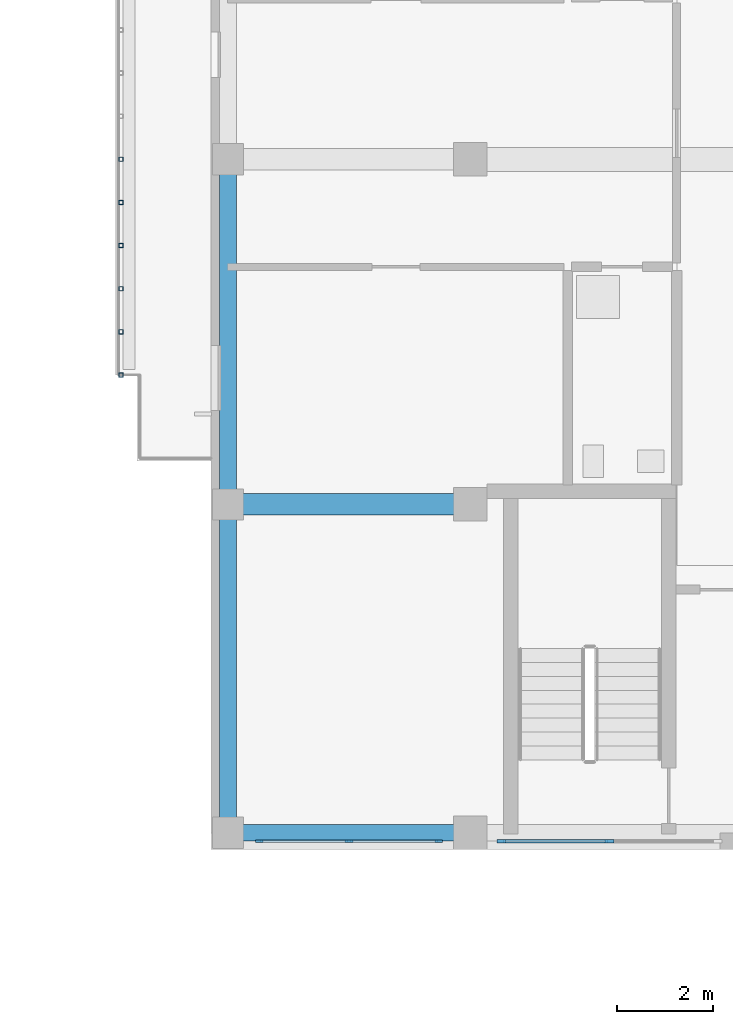
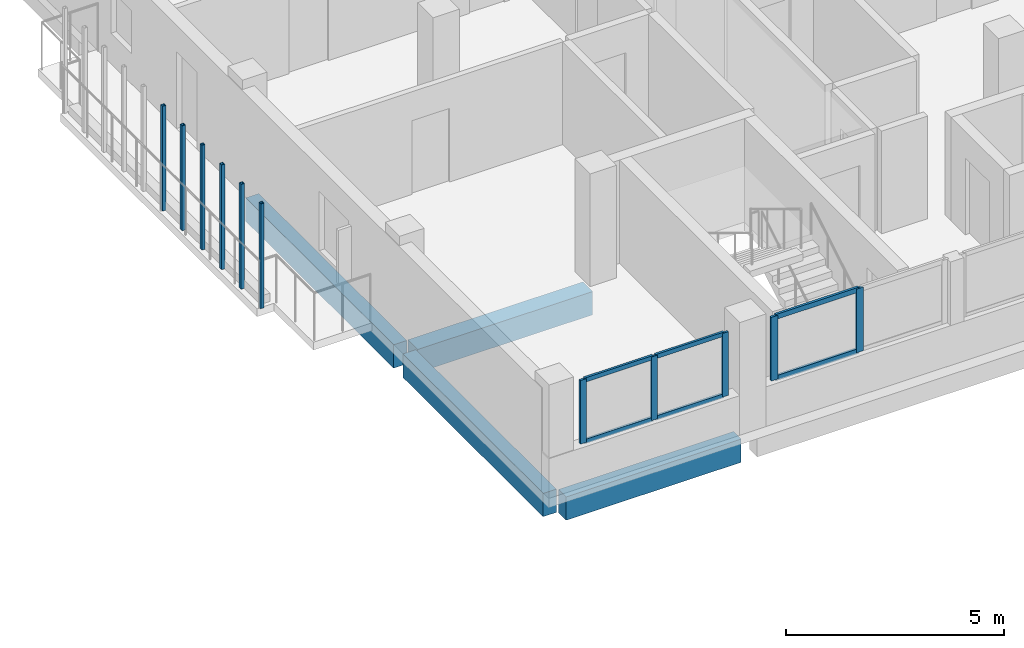
# One storey, part 16 of 51: 17 members, 4 beams, 2 elements without a shape of their own.
"""IFC4 building model written with IfcOpenShell, lengths in metres."""

from ifc_helpers import new_model, si_unit, derived_unit, direction, frame, origin, origin_2d, place, context, subcontext, project, spatial, rectangle, hollow_rectangle, extrude, material, layer, layer_set, material_profile, profile_set, type_object, element, aggregate, save


model = new_model("IFC4")

# Units and contexts
model_context = context("Model", 3, precision=1e-05, world=origin(), true_north=direction((0.0, 1.0)))
body_context = subcontext(model_context, "Body", "Model", "MODEL_VIEW")
ifc_project = project(units=[si_unit("LENGTHUNIT", "METRE"), si_unit("AREAUNIT", "SQUARE_METRE"), si_unit("VOLUMEUNIT", "CUBIC_METRE"), si_unit("PLANEANGLEUNIT", "RADIAN"), si_unit("MASSUNIT", "GRAM", prefix="KILO"), derived_unit("THERMALTRANSMITTANCEUNIT", [(si_unit("MASSUNIT", "GRAM", prefix="KILO"), 1), (si_unit("TIMEUNIT", "SECOND"), -3), (si_unit("THERMODYNAMICTEMPERATUREUNIT", "KELVIN"), -1)])], contexts=[model_context])

# Site, building, storey
site_placement = place(None, origin())
site = spatial("IfcSite", under=ifc_project, at=site_placement, CompositionType="ELEMENT")
building_placement = place(site_placement, origin())
building = spatial("IfcBuilding", under=site, at=building_placement, Name="Ochrekiln Boulevard Commons", CompositionType="ELEMENT")
storey_placement = place(building_placement, frame((0.0, 0.0, 15.22509765625)))
storey = spatial("IfcBuildingStorey", under=building, at=storey_placement, Name="L04", CompositionType="ELEMENT", Elevation=15.22509765625)

# Beam
ifc_material_1 = material(Name="Concrete C35/45", Category="concrete")
ifc_material_profile_1 = material_profile(ifc_material_1, rectangle(XDim=0.449951171875, YDim=0.64990234375, at=origin_2d()), Name="RC-BM-450x650")
ifc_profile_set_1 = profile_set([ifc_material_profile_1], Name="Concrete C35/45")
beam_type_1 = type_object("IfcBeamType", Name="BM-RC-450x650", PredefinedType="BEAM", material=ifc_profile_set_1)
beam_1_placement = place(storey_placement, frame((151.760009765625, 75.60009765625, -0.585205078125), z_axis=(1.0, 0.0, 0.0), x_axis=(0.0, 1.0, 0.0)))
element("IfcBeam", 1, at=beam_1_placement, inside=storey, type_object=beam_type_1, Name="Block B L04 Beam B-4565 X4", PredefinedType="BEAM", context=body_context, shape_type="SweptSolid", body=[
    extrude(rectangle(XDim=0.449951171875, YDim=0.64990234375, at=origin_2d()), origin(), (0.0, 0.0, 1.0), 4.6298828125),
])

# Curtain wall, members
ifc_material_2 = material(Name="Bronze-anodized extruded aluminium 6063-T6", Category="aluminium")
ifc_layer = layer(ifc_material_2, 0.18408203125)
ifc_layer_set = layer_set([ifc_layer], Name="Bronze-anodized extruded aluminium 6063-T6")
curtain_wall_type = type_object("IfcCurtainWallType", Name="CW-GABLE-B", PredefinedType="USERDEFINED", material=ifc_layer_set)
curtain_wall_1_placement = place(storey_placement, origin())
curtain_wall_1 = element("IfcCurtainWall", 2, at=curtain_wall_1_placement, inside=storey, type_object=curtain_wall_type, Name="Block B L04 Courtyard Glazed Gable Curtain Wall 1", ObjectType="GLAZED CURTAIN WALL", PredefinedType="USERDEFINED")
ifc_material_profile_2 = material_profile(ifc_material_2, rectangle(XDim=0.06005859375, YDim=0.159912109375, at=origin_2d()), Name="ALU-MUL-60x160")
ifc_profile_set_2 = profile_set([ifc_material_profile_2], Name="Bronze-anodized extruded aluminium 6063-T6")
member_type_1 = type_object("IfcMemberType", Name="CWM-60x160", PredefinedType="MULLION", material=ifc_profile_set_2)
member_1_placement = place(storey_placement, frame((152.199951171875, 68.570068359375, 1.10986328125), z_axis=(0.0, 0.0, 1.0), x_axis=(0.0, 1.0, 0.0)))
member_1 = element("IfcMember", 3, at=member_1_placement, type_object=member_type_1, Name="CW-02 mullion 1", PredefinedType="MULLION", context=body_context, shape_type="SweptSolid", body=[
    extrude(rectangle(XDim=0.06005859375, YDim=0.159912109375, at=origin_2d()), origin(), (0.0, 0.0, 1.0), 1.780029296875),
])
member_2_placement = place(storey_placement, frame((154.074951171875, 68.570068359375, 1.10986328125), z_axis=(0.0, 0.0, 1.0), x_axis=(0.0, 1.0, 0.0)))
member_2 = element("IfcMember", 4, at=member_2_placement, type_object=member_type_1, Name="CW-02 mullion 2", PredefinedType="MULLION", context=body_context, shape_type="SweptSolid", body=[
    extrude(rectangle(XDim=0.06005859375, YDim=0.159912109375, at=origin_2d()), origin(), (0.0, 0.0, 1.0), 1.780029296875),
])
member_3_placement = place(storey_placement, frame((155.949951171875, 68.570068359375, 1.10986328125), z_axis=(0.0, 0.0, 1.0), x_axis=(0.0, 1.0, 0.0)))
member_3 = element("IfcMember", 5, at=member_3_placement, type_object=member_type_1, Name="CW-02 mullion 3", PredefinedType="MULLION", context=body_context, shape_type="SweptSolid", body=[
    extrude(rectangle(XDim=0.06005859375, YDim=0.159912109375, at=origin_2d()), origin(), (0.0, 0.0, 1.0), 1.780029296875),
])

curtain_wall_2_placement = place(storey_placement, origin())
curtain_wall_2 = element("IfcCurtainWall", 6, at=curtain_wall_2_placement, inside=storey, type_object=curtain_wall_type, Name="Block B L04 Courtyard Glazed Gable Curtain Wall 2", ObjectType="GLAZED CURTAIN WALL", PredefinedType="USERDEFINED")
ifc_material_profile_3 = material_profile(ifc_material_2, rectangle(XDim=0.06494140625, YDim=0.179931640625, at=origin_2d()), Name="ALU-MUL-65x180")
ifc_profile_set_3 = profile_set([ifc_material_profile_3], Name="Bronze-anodized extruded aluminium 6063-T6")
member_type_2 = type_object("IfcMemberType", Name="CWM-65x180", PredefinedType="MULLION", material=ifc_profile_set_3)
member_4_placement = place(storey_placement, frame((157.25244140625, 68.570068359375, 1.10986328125), z_axis=(0.0, 0.0, 1.0), x_axis=(0.0, 1.0, 0.0)))
member_4 = element("IfcMember", 7, at=member_4_placement, type_object=member_type_2, Name="CW-02 mullion 1", PredefinedType="MULLION", context=body_context, shape_type="SweptSolid", body=[
    extrude(rectangle(XDim=0.06494140625, YDim=0.179931640625, at=origin_2d()), origin(), (0.0, 0.0, 1.0), 1.780029296875),
])
member_5_placement = place(storey_placement, frame((159.510009765625, 68.570068359375, 1.10986328125), z_axis=(0.0, 0.0, 1.0), x_axis=(0.0, 1.0, 0.0)))
member_5 = element("IfcMember", 8, at=member_5_placement, type_object=member_type_2, Name="CW-02 mullion 2", PredefinedType="MULLION", context=body_context, shape_type="SweptSolid", body=[
    extrude(rectangle(XDim=0.06494140625, YDim=0.179931640625, at=origin_2d()), origin(), (0.0, 0.0, 1.0), 1.780029296875),
])

# Member
ifc_material_profile_4 = material_profile(ifc_material_2, rectangle(XDim=0.06005859375, YDim=0.1201171875, at=origin_2d()), Name="ALU-TRN-60x120")
ifc_profile_set_4 = profile_set([ifc_material_profile_4], Name="Bronze-anodized extruded aluminium 6063-T6")
member_type_3 = type_object("IfcMemberType", Name="CWT-60x120", PredefinedType="USERDEFINED", material=ifc_profile_set_4)
member_6_placement = place(storey_placement, frame((152.22998046875, 68.570068359375, 1.139892578125), z_axis=(1.0, 0.0, 0.0), x_axis=(0.0, 1.0, 0.0)))
member_6 = element("IfcMember", 9, at=member_6_placement, type_object=member_type_3, Name="CW-02 transom 1.1", ObjectType="TRANSOM", PredefinedType="USERDEFINED", context=body_context, shape_type="SweptSolid", body=[
    extrude(rectangle(XDim=0.06005859375, YDim=0.1201171875, at=origin_2d()), origin(), (0.0, 0.0, 1.0), 1.81494140625),
])

member_7_placement = place(storey_placement, frame((152.22998046875, 68.570068359375, 2.85986328125), z_axis=(1.0, 0.0, 0.0), x_axis=(0.0, 1.0, 0.0)))
member_7 = element("IfcMember", 10, at=member_7_placement, type_object=member_type_3, Name="CW-02 transom 1.2", ObjectType="TRANSOM", PredefinedType="USERDEFINED", context=body_context, shape_type="SweptSolid", body=[
    extrude(rectangle(XDim=0.06005859375, YDim=0.1201171875, at=origin_2d()), origin(), (0.0, 0.0, 1.0), 1.81494140625),
])

member_8_placement = place(storey_placement, frame((154.10498046875, 68.570068359375, 1.139892578125), z_axis=(1.0, 0.0, 0.0), x_axis=(0.0, 1.0, 0.0)))
member_8 = element("IfcMember", 11, at=member_8_placement, type_object=member_type_3, Name="CW-02 transom 2.1", ObjectType="TRANSOM", PredefinedType="USERDEFINED", context=body_context, shape_type="SweptSolid", body=[
    extrude(rectangle(XDim=0.06005859375, YDim=0.1201171875, at=origin_2d()), origin(), (0.0, 0.0, 1.0), 1.81494140625),
])

member_9_placement = place(storey_placement, frame((154.10498046875, 68.570068359375, 2.85986328125), z_axis=(1.0, 0.0, 0.0), x_axis=(0.0, 1.0, 0.0)))
member_9 = element("IfcMember", 12, at=member_9_placement, type_object=member_type_3, Name="CW-02 transom 2.2", ObjectType="TRANSOM", PredefinedType="USERDEFINED", context=body_context, shape_type="SweptSolid", body=[
    extrude(rectangle(XDim=0.06005859375, YDim=0.1201171875, at=origin_2d()), origin(), (0.0, 0.0, 1.0), 1.81494140625),
])

aggregate(curtain_wall_1, [member_1, member_2, member_3, member_6, member_7, member_8, member_9])

ifc_material_profile_5 = material_profile(ifc_material_2, rectangle(XDim=0.06494140625, YDim=0.139892578125, at=origin_2d()), Name="ALU-TRN-65x140")
ifc_profile_set_5 = profile_set([ifc_material_profile_5], Name="Bronze-anodized extruded aluminium 6063-T6")
member_type_4 = type_object("IfcMemberType", Name="CWT-65x140", PredefinedType="USERDEFINED", material=ifc_profile_set_5)
member_10_placement = place(storey_placement, frame((157.284912109375, 68.570068359375, 1.142333984375), z_axis=(1.0, 0.0, 0.0), x_axis=(0.0, 1.0, 0.0)))
member_10 = element("IfcMember", 13, at=member_10_placement, type_object=member_type_4, Name="CW-02 transom 1.1", ObjectType="TRANSOM", PredefinedType="USERDEFINED", context=body_context, shape_type="SweptSolid", body=[
    extrude(rectangle(XDim=0.06494140625, YDim=0.139892578125, at=origin_2d()), origin(), (0.0, 0.0, 1.0), 2.192626953125),
])

member_11_placement = place(storey_placement, frame((157.284912109375, 68.570068359375, 2.857421875), z_axis=(1.0, 0.0, 0.0), x_axis=(0.0, 1.0, 0.0)))
member_11 = element("IfcMember", 14, at=member_11_placement, type_object=member_type_4, Name="CW-02 transom 1.2", ObjectType="TRANSOM", PredefinedType="USERDEFINED", context=body_context, shape_type="SweptSolid", body=[
    extrude(rectangle(XDim=0.06494140625, YDim=0.139892578125, at=origin_2d()), origin(), (0.0, 0.0, 1.0), 2.192626953125),
])

aggregate(curtain_wall_2, [member_4, member_5, member_10, member_11])

# Members
ifc_material_3 = material(Name="Steel A500 Grade C", Category="steel")
ifc_material_profile_6 = material_profile(ifc_material_3, hollow_rectangle(XDim=0.090087890625, YDim=0.090087890625, WallThickness=0.00634765625, at=origin_2d()), Name="HSS90X90X6.4")
ifc_profile_set_6 = profile_set([ifc_material_profile_6], Name="Steel A500 Grade C")
member_type_5 = type_object("IfcMemberType", Name="MEM-PST-HSS90", PredefinedType="POST", material=ifc_profile_set_6)
for number, where, z_axis, x_axis, name in (
    (15, (149.320068359375, 78.300048828125, 0.0), (0.0, 0.0, 1.0), (1.0, 0.0, 0.0), "Block B L04 Slim Vertical Balcony Post (221)"),
    (16, (149.320068359375, 79.199951171875, 0.0), (0.0, 0.0, 1.0), (1.0, 0.0, 0.0), "Block B L04 Slim Vertical Balcony Post (222)"),
    (17, (149.320068359375, 80.10009765625, 0.0), (0.0, 0.0, 1.0), (1.0, 0.0, 0.0), "Block B L04 Slim Vertical Balcony Post (223)"),
    (18, (149.320068359375, 81.0, 0.0), (0.0, 0.0, 1.0), (1.0, 0.0, 0.0), "Block B L04 Slim Vertical Balcony Post (224)"),
    (19, (149.320068359375, 81.89990234375, 0.0), (0.0, 0.0, 1.0), (1.0, 0.0, 0.0), "Block B L04 Slim Vertical Balcony Post (225)"),
    (20, (149.320068359375, 82.800048828125, 0.0), (0.0, 0.0, 1.0), (1.0, 0.0, 0.0), "Block B L04 Slim Vertical Balcony Post (226)"),
):
    element("IfcMember", number, at=place(storey_placement, frame(where, z_axis=z_axis, x_axis=x_axis)), inside=storey, type_object=member_type_5, Name=name, PredefinedType="POST", context=body_context, shape_type="SweptSolid", body=[
        extrude(hollow_rectangle(XDim=0.090087890625, YDim=0.090087890625, WallThickness=0.00634765625, at=origin_2d()), origin(), (0.0, 0.0, 1.0), 2.929931640625),
    ])

# Beams
ifc_material_4 = material(Name="Concrete C40/50", Category="concrete")
ifc_material_profile_7 = material_profile(ifc_material_4, rectangle(XDim=0.35009765625, YDim=0.64990234375, at=origin_2d()), Name="RC-SPN-350x650")
ifc_profile_set_7 = profile_set([ifc_material_profile_7], Name="Concrete C40/50")
beam_type_2 = type_object("IfcBeamType", Name="SPN-RC-350x650", PredefinedType="SPANDREL", material=ifc_profile_set_7)
beam_2_placement = place(storey_placement, frame((151.760009765625, 68.75, -0.585205078125), z_axis=(1.0, 0.0, 0.0), x_axis=(0.0, 1.0, 0.0)))
element("IfcBeam", 21, at=beam_2_placement, inside=storey, type_object=beam_type_2, Name="Block B L04 Beam SP-3565 X1", PredefinedType="SPANDREL", context=body_context, shape_type="SweptSolid", body=[
    extrude(rectangle(XDim=0.35009765625, YDim=0.64990234375, at=origin_2d()), origin(), (0.0, 0.0, 1.0), 4.6298828125),
])
beam_3_placement = place(storey_placement, frame((151.550048828125, 68.9599609375, -0.585205078125), z_axis=(0.0, 1.0, 0.0), x_axis=(-1.0, 0.0, 0.0)))
element("IfcBeam", 22, at=beam_3_placement, inside=storey, type_object=beam_type_2, Name="Block B L04 Beam SP-3565 Y23", PredefinedType="SPANDREL", context=body_context, shape_type="SweptSolid", body=[
    extrude(rectangle(XDim=0.35009765625, YDim=0.64990234375, at=origin_2d()), origin(), (0.0, 0.0, 1.0), 6.429931640625),
])
beam_4_placement = place(storey_placement, frame((151.550048828125, 75.81005859375, -0.585205078125), z_axis=(0.0, 1.0, 0.0), x_axis=(-1.0, 0.0, 0.0)))
element("IfcBeam", 23, at=beam_4_placement, inside=storey, type_object=beam_type_2, Name="Block B L04 Beam SP-3565 Y24", PredefinedType="SPANDREL", context=body_context, shape_type="SweptSolid", body=[
    extrude(rectangle(XDim=0.35009765625, YDim=0.64990234375, at=origin_2d()), origin(), (0.0, 0.0, 1.0), 6.780029296875),
])

save(model, "model.ifc")
